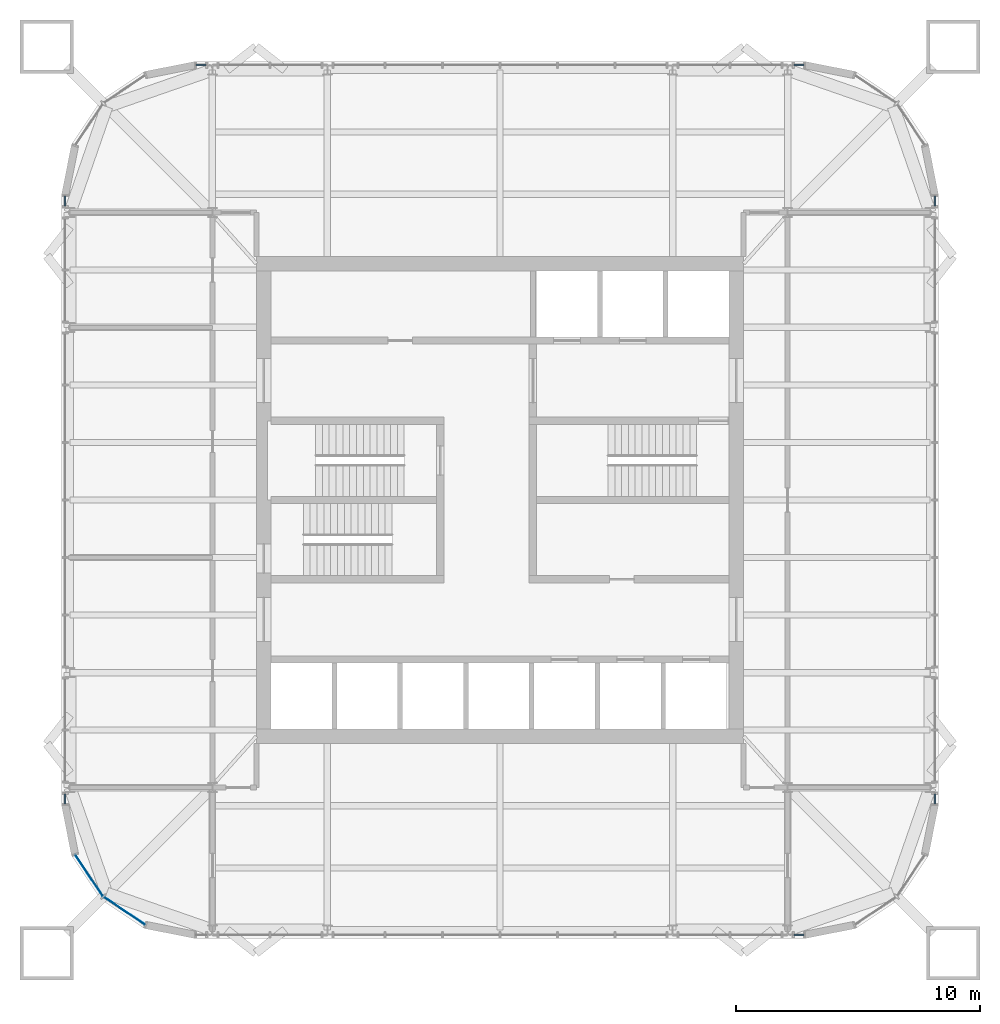
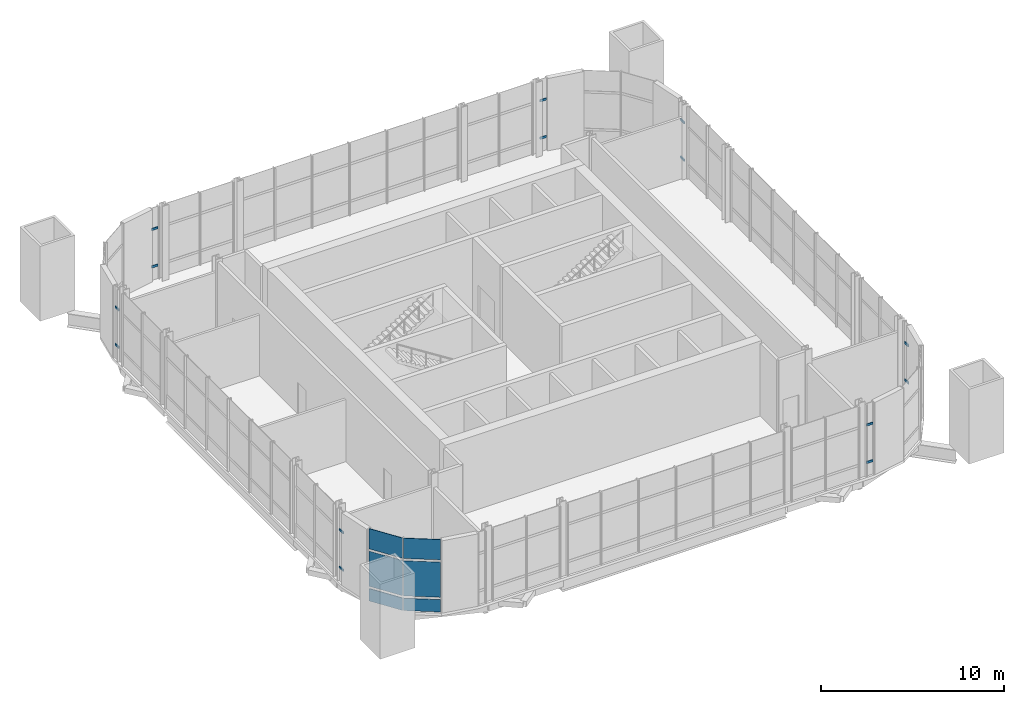
# One storey, part 7 of 15: 14 members, 6 plates, 8 elements without a shape of their own.
"""IFC4 building model written with IfcOpenShell, lengths in metres."""

from ifc_helpers import new_model, si_unit, direction, frame, origin, origin_2d, place, context, subcontext, project, spatial, rectangle, extrude, material, layer, layer_set, material_profile, profile_set, type_object, element, aggregate, save


model = new_model("IFC4")

# Units and contexts
model_context = context("Model", 3, precision=1e-05, world=origin(), true_north=direction((0.0, 1.0)))
body_context = subcontext(model_context, "Body", "Model", "MODEL_VIEW")
ifc_project = project(units=[si_unit("LENGTHUNIT", "METRE"), si_unit("AREAUNIT", "SQUARE_METRE"), si_unit("VOLUMEUNIT", "CUBIC_METRE"), si_unit("PLANEANGLEUNIT", "RADIAN"), si_unit("MASSUNIT", "GRAM", prefix="KILO")], contexts=[model_context])

# Site, building, storey
site_placement = place(None, origin())
site = spatial("IfcSite", under=ifc_project, at=site_placement, CompositionType="ELEMENT")
building_placement = place(site_placement, origin())
building = spatial("IfcBuilding", under=site, at=building_placement, Name="Turquesa Mirador Hotel Tower", CompositionType="ELEMENT")
storey_placement = place(building_placement, frame((0.0, 0.0, 261.699951171875)))
storey = spatial("IfcBuildingStorey", under=building, at=storey_placement, Name="L71", CompositionType="ELEMENT", Elevation=261.699951171875)

# Curtain wall, members
ifc_material_1 = material(Name="Aluminium extrusion", Category="aluminium")
curtain_wall_type = type_object("IfcCurtainWallType", Name="CW-5 SKY RESTAURANT CURTAIN WALL", PredefinedType="USERDEFINED", material=ifc_material_1)
curtain_wall_1_placement = place(storey_placement, origin())
curtain_wall_1 = element("IfcCurtainWall", 1, at=curtain_wall_1_placement, inside=storey, type_object=curtain_wall_type, Name="CW-5 SKY RESTAURANT CURTAIN WALL L71", ObjectType="CURTAIN WALL", PredefinedType="USERDEFINED")
ifc_material_2 = material(Name="Aluminium extrusion", Category="aluminium")
ifc_material_profile = material_profile(ifc_material_2, rectangle(XDim=0.06494140625, YDim=0.14990234375, at=origin_2d()), Name="TRANSOM 65X150")
ifc_profile_set = profile_set([ifc_material_profile], Name="Aluminium extrusion")
member_type = type_object("IfcMemberType", Name="CW TRANSOM 65X150", PredefinedType="USERDEFINED", material=ifc_profile_set)
member_1_placement = place(storey_placement, frame((72.85009765625, 32.532470703125, 0.900146484375), z_axis=(0.0, 1.0, 0.0), x_axis=(-1.0, 0.0, 0.0)))
member_1 = element("IfcMember", 2, at=member_1_placement, type_object=member_type, Name="Transom", ObjectType="TRANSOM", PredefinedType="USERDEFINED", context=body_context, shape_type="SweptSolid", body=[
    extrude(rectangle(XDim=0.06494140625, YDim=0.14990234375, at=origin_2d()), origin(), (0.0, 0.0, 1.0), 0.401123046875),
])
member_2_placement = place(storey_placement, frame((72.85009765625, 32.532470703125, 3.400146484375), z_axis=(0.0, 1.0, 0.0), x_axis=(-1.0, 0.0, 0.0)))
member_2 = element("IfcMember", 3, at=member_2_placement, type_object=member_type, Name="Transom", ObjectType="TRANSOM", PredefinedType="USERDEFINED", context=body_context, shape_type="SweptSolid", body=[
    extrude(rectangle(XDim=0.06494140625, YDim=0.14990234375, at=origin_2d()), origin(), (0.0, 0.0, 1.0), 0.401123046875),
])
aggregate(curtain_wall_1, [member_1, member_2])

curtain_wall_2_placement = place(storey_placement, origin())
curtain_wall_2 = element("IfcCurtainWall", 4, at=curtain_wall_2_placement, inside=storey, type_object=curtain_wall_type, Name="CW-5 SKY RESTAURANT CURTAIN WALL L71", ObjectType="CURTAIN WALL", PredefinedType="USERDEFINED")
member_3_placement = place(storey_placement, frame((72.85009765625, 57.06640625, 0.900146484375), z_axis=(0.0, 1.0, 0.0), x_axis=(-1.0, 0.0, 0.0)))
member_3 = element("IfcMember", 5, at=member_3_placement, type_object=member_type, Name="Transom", ObjectType="TRANSOM", PredefinedType="USERDEFINED", context=body_context, shape_type="SweptSolid", body=[
    extrude(rectangle(XDim=0.06494140625, YDim=0.14990234375, at=origin_2d()), origin(), (0.0, 0.0, 1.0), 0.401123046875),
])
member_4_placement = place(storey_placement, frame((72.85009765625, 57.06640625, 3.400146484375), z_axis=(0.0, 1.0, 0.0), x_axis=(-1.0, 0.0, 0.0)))
member_4 = element("IfcMember", 6, at=member_4_placement, type_object=member_type, Name="Transom", ObjectType="TRANSOM", PredefinedType="USERDEFINED", context=body_context, shape_type="SweptSolid", body=[
    extrude(rectangle(XDim=0.06494140625, YDim=0.14990234375, at=origin_2d()), origin(), (0.0, 0.0, 1.0), 0.401123046875),
])
aggregate(curtain_wall_2, [member_3, member_4])

curtain_wall_3_placement = place(storey_placement, origin())
curtain_wall_3 = element("IfcCurtainWall", 7, at=curtain_wall_3_placement, inside=storey, type_object=curtain_wall_type, Name="CW-5 SKY RESTAURANT CURTAIN WALL L71", ObjectType="CURTAIN WALL", PredefinedType="USERDEFINED")
member_5_placement = place(storey_placement, frame((67.467529296875, 62.85009765625, 0.900146484375), z_axis=(-1.0, 0.0, 0.0), x_axis=(0.0, -1.0, 0.0)))
member_5 = element("IfcMember", 8, at=member_5_placement, type_object=member_type, Name="Transom", ObjectType="TRANSOM", PredefinedType="USERDEFINED", context=body_context, shape_type="SweptSolid", body=[
    extrude(rectangle(XDim=0.06494140625, YDim=0.14990234375, at=origin_2d()), origin(), (0.0, 0.0, 1.0), 0.401123046875),
])
member_6_placement = place(storey_placement, frame((67.467529296875, 62.85009765625, 3.400146484375), z_axis=(-1.0, 0.0, 0.0), x_axis=(0.0, -1.0, 0.0)))
member_6 = element("IfcMember", 9, at=member_6_placement, type_object=member_type, Name="Transom", ObjectType="TRANSOM", PredefinedType="USERDEFINED", context=body_context, shape_type="SweptSolid", body=[
    extrude(rectangle(XDim=0.06494140625, YDim=0.14990234375, at=origin_2d()), origin(), (0.0, 0.0, 1.0), 0.401123046875),
])
aggregate(curtain_wall_3, [member_5, member_6])

curtain_wall_4_placement = place(storey_placement, origin())
curtain_wall_4 = element("IfcCurtainWall", 10, at=curtain_wall_4_placement, inside=storey, type_object=curtain_wall_type, Name="CW-5 SKY RESTAURANT CURTAIN WALL L71", ObjectType="CURTAIN WALL", PredefinedType="USERDEFINED")
member_7_placement = place(storey_placement, frame((42.93359375, 62.85009765625, 0.900146484375), z_axis=(-1.0, 0.0, 0.0), x_axis=(0.0, -1.0, 0.0)))
member_7 = element("IfcMember", 11, at=member_7_placement, type_object=member_type, Name="Transom", ObjectType="TRANSOM", PredefinedType="USERDEFINED", context=body_context, shape_type="SweptSolid", body=[
    extrude(rectangle(XDim=0.06494140625, YDim=0.14990234375, at=origin_2d()), origin(), (0.0, 0.0, 1.0), 0.401123046875),
])
member_8_placement = place(storey_placement, frame((42.93359375, 62.85009765625, 3.400146484375), z_axis=(-1.0, 0.0, 0.0), x_axis=(0.0, -1.0, 0.0)))
member_8 = element("IfcMember", 12, at=member_8_placement, type_object=member_type, Name="Transom", ObjectType="TRANSOM", PredefinedType="USERDEFINED", context=body_context, shape_type="SweptSolid", body=[
    extrude(rectangle(XDim=0.06494140625, YDim=0.14990234375, at=origin_2d()), origin(), (0.0, 0.0, 1.0), 0.401123046875),
])
aggregate(curtain_wall_4, [member_7, member_8])

curtain_wall_5_placement = place(storey_placement, origin())
curtain_wall_5 = element("IfcCurtainWall", 13, at=curtain_wall_5_placement, inside=storey, type_object=curtain_wall_type, Name="CW-5 SKY RESTAURANT CURTAIN WALL L71", ObjectType="CURTAIN WALL", PredefinedType="USERDEFINED")
member_9_placement = place(storey_placement, frame((37.14990234375, 57.467529296875, 0.900146484375), z_axis=(0.0, -1.0, 0.0), x_axis=(1.0, 0.0, 0.0)))
member_9 = element("IfcMember", 14, at=member_9_placement, type_object=member_type, Name="Transom", ObjectType="TRANSOM", PredefinedType="USERDEFINED", context=body_context, shape_type="SweptSolid", body=[
    extrude(rectangle(XDim=0.06494140625, YDim=0.14990234375, at=origin_2d()), origin(), (0.0, 0.0, 1.0), 0.401123046875),
])
member_10_placement = place(storey_placement, frame((37.14990234375, 57.467529296875, 3.400146484375), z_axis=(0.0, -1.0, 0.0), x_axis=(1.0, 0.0, 0.0)))
member_10 = element("IfcMember", 15, at=member_10_placement, type_object=member_type, Name="Transom", ObjectType="TRANSOM", PredefinedType="USERDEFINED", context=body_context, shape_type="SweptSolid", body=[
    extrude(rectangle(XDim=0.06494140625, YDim=0.14990234375, at=origin_2d()), origin(), (0.0, 0.0, 1.0), 0.401123046875),
])
aggregate(curtain_wall_5, [member_9, member_10])

curtain_wall_6_placement = place(storey_placement, origin())
curtain_wall_6 = element("IfcCurtainWall", 16, at=curtain_wall_6_placement, inside=storey, type_object=curtain_wall_type, Name="CW-5 SKY RESTAURANT CURTAIN WALL L71", ObjectType="CURTAIN WALL", PredefinedType="USERDEFINED")
member_11_placement = place(storey_placement, frame((37.14990234375, 32.93359375, 0.900146484375), z_axis=(0.0, -1.0, 0.0), x_axis=(1.0, 0.0, 0.0)))
member_11 = element("IfcMember", 17, at=member_11_placement, type_object=member_type, Name="Transom", ObjectType="TRANSOM", PredefinedType="USERDEFINED", context=body_context, shape_type="SweptSolid", body=[
    extrude(rectangle(XDim=0.06494140625, YDim=0.14990234375, at=origin_2d()), origin(), (0.0, 0.0, 1.0), 0.401123046875),
])
member_12_placement = place(storey_placement, frame((37.14990234375, 32.93359375, 3.400146484375), z_axis=(0.0, -1.0, 0.0), x_axis=(1.0, 0.0, 0.0)))
member_12 = element("IfcMember", 18, at=member_12_placement, type_object=member_type, Name="Transom", ObjectType="TRANSOM", PredefinedType="USERDEFINED", context=body_context, shape_type="SweptSolid", body=[
    extrude(rectangle(XDim=0.06494140625, YDim=0.14990234375, at=origin_2d()), origin(), (0.0, 0.0, 1.0), 0.401123046875),
])
aggregate(curtain_wall_6, [member_11, member_12])

curtain_wall_7_placement = place(storey_placement, origin())
curtain_wall_7 = element("IfcCurtainWall", 19, at=curtain_wall_7_placement, inside=storey, type_object=curtain_wall_type, Name="CW-5 SKY RESTAURANT CURTAIN WALL L71", ObjectType="CURTAIN WALL", PredefinedType="USERDEFINED")
member_13_placement = place(storey_placement, frame((67.06640625, 27.14990234375, 0.900146484375), z_axis=(1.0, 0.0, 0.0), x_axis=(0.0, 1.0, 0.0)))
member_13 = element("IfcMember", 20, at=member_13_placement, type_object=member_type, Name="Transom", ObjectType="TRANSOM", PredefinedType="USERDEFINED", context=body_context, shape_type="SweptSolid", body=[
    extrude(rectangle(XDim=0.06494140625, YDim=0.14990234375, at=origin_2d()), origin(), (0.0, 0.0, 1.0), 0.401123046875),
])
member_14_placement = place(storey_placement, frame((67.06640625, 27.14990234375, 3.400146484375), z_axis=(1.0, 0.0, 0.0), x_axis=(0.0, 1.0, 0.0)))
member_14 = element("IfcMember", 21, at=member_14_placement, type_object=member_type, Name="Transom", ObjectType="TRANSOM", PredefinedType="USERDEFINED", context=body_context, shape_type="SweptSolid", body=[
    extrude(rectangle(XDim=0.06494140625, YDim=0.14990234375, at=origin_2d()), origin(), (0.0, 0.0, 1.0), 0.401123046875),
])
aggregate(curtain_wall_7, [member_13, member_14])

# Curtain wall, plates
curtain_wall_8_placement = place(storey_placement, origin())
curtain_wall_8 = element("IfcCurtainWall", 22, at=curtain_wall_8_placement, inside=storey, type_object=curtain_wall_type, Name="CW-5 SKY RESTAURANT CURTAIN WALL L71", ObjectType="CURTAIN WALL", PredefinedType="USERDEFINED")
ifc_material_3 = material(Name="Ceramic-printed spandrel glass on an insulated back pan", Category="glass")
ifc_layer_1 = layer(ifc_material_3, 0.050048828125)
ifc_layer_set_1 = layer_set([ifc_layer_1], Name="CW PANEL SPANDREL CERAMIC")
plate_type_1 = type_object("IfcPlateType", Name="CW PANEL SPANDREL CERAMIC", PredefinedType="CURTAIN_PANEL", material=ifc_layer_set_1)
plate_1_placement = place(storey_placement, frame((38.13720703125, 29.584716796875, 0.0), z_axis=(0.0, 0.0, 1.0), x_axis=(0.555570141754, -0.831469673284, 0.0)))
plate_1 = element("IfcPlate", 23, at=plate_1_placement, type_object=plate_type_1, Name="Panel", PredefinedType="CURTAIN_PANEL", context=body_context, shape_type="SweptSolid", body=[
    extrude(rectangle(XDim=2.0224609375, YDim=0.050048828125, at=origin_2d()), origin(), (0.0, 0.0, 1.0), 0.824951171875),
])
plate_2_placement = place(storey_placement, frame((39.584716796875, 28.13720703125, 0.0), z_axis=(0.0, 0.0, 1.0), x_axis=(0.831469673284, -0.555570141754, 0.0)))
plate_2 = element("IfcPlate", 24, at=plate_2_placement, type_object=plate_type_1, Name="Panel", PredefinedType="CURTAIN_PANEL", context=body_context, shape_type="SweptSolid", body=[
    extrude(rectangle(XDim=2.0224609375, YDim=0.050048828125, at=origin_2d()), origin(), (0.0, 0.0, 1.0), 0.824951171875),
])
ifc_material_4 = material(Name="Ceramic-fritted laminated glass", Category="glass")
ifc_layer_2 = layer(ifc_material_4, 0.031982421875)
ifc_layer_set_2 = layer_set([ifc_layer_2], Name="CW PANEL VISION FRITTED")
plate_type_2 = type_object("IfcPlateType", Name="CW PANEL VISION FRITTED", PredefinedType="CURTAIN_PANEL", material=ifc_layer_set_2)
plate_3_placement = place(storey_placement, frame((38.13720703125, 29.584716796875, 0.97509765625), z_axis=(0.0, 0.0, 1.0), x_axis=(0.555570141754, -0.831469673284, 0.0)))
plate_3 = element("IfcPlate", 25, at=plate_3_placement, type_object=plate_type_2, Name="Panel", PredefinedType="CURTAIN_PANEL", context=body_context, shape_type="SweptSolid", body=[
    extrude(rectangle(XDim=2.0224609375, YDim=0.031982421875, at=origin_2d()), origin(), (0.0, 0.0, 1.0), 2.35009765625),
])
plate_4_placement = place(storey_placement, frame((38.13720703125, 29.584716796875, 3.47509765625), z_axis=(0.0, 0.0, 1.0), x_axis=(0.555570141754, -0.831469673284, 0.0)))
plate_4 = element("IfcPlate", 26, at=plate_4_placement, type_object=plate_type_2, Name="Panel", PredefinedType="CURTAIN_PANEL", context=body_context, shape_type="SweptSolid", body=[
    extrude(rectangle(XDim=2.0224609375, YDim=0.031982421875, at=origin_2d()), origin(), (0.0, 0.0, 1.0), 1.35498046875),
])
plate_5_placement = place(storey_placement, frame((39.584716796875, 28.13720703125, 0.97509765625), z_axis=(0.0, 0.0, 1.0), x_axis=(0.831469673284, -0.555570141754, 0.0)))
plate_5 = element("IfcPlate", 27, at=plate_5_placement, type_object=plate_type_2, Name="Panel", PredefinedType="CURTAIN_PANEL", context=body_context, shape_type="SweptSolid", body=[
    extrude(rectangle(XDim=2.0224609375, YDim=0.031982421875, at=origin_2d()), origin(), (0.0, 0.0, 1.0), 2.35009765625),
])
plate_6_placement = place(storey_placement, frame((39.584716796875, 28.13720703125, 3.47509765625), z_axis=(0.0, 0.0, 1.0), x_axis=(0.831469673284, -0.555570141754, 0.0)))
plate_6 = element("IfcPlate", 28, at=plate_6_placement, type_object=plate_type_2, Name="Panel", PredefinedType="CURTAIN_PANEL", context=body_context, shape_type="SweptSolid", body=[
    extrude(rectangle(XDim=2.0224609375, YDim=0.031982421875, at=origin_2d()), origin(), (0.0, 0.0, 1.0), 1.35498046875),
])
aggregate(curtain_wall_8, [plate_1, plate_3, plate_4, plate_2, plate_5, plate_6])

save(model, "model.ifc")
